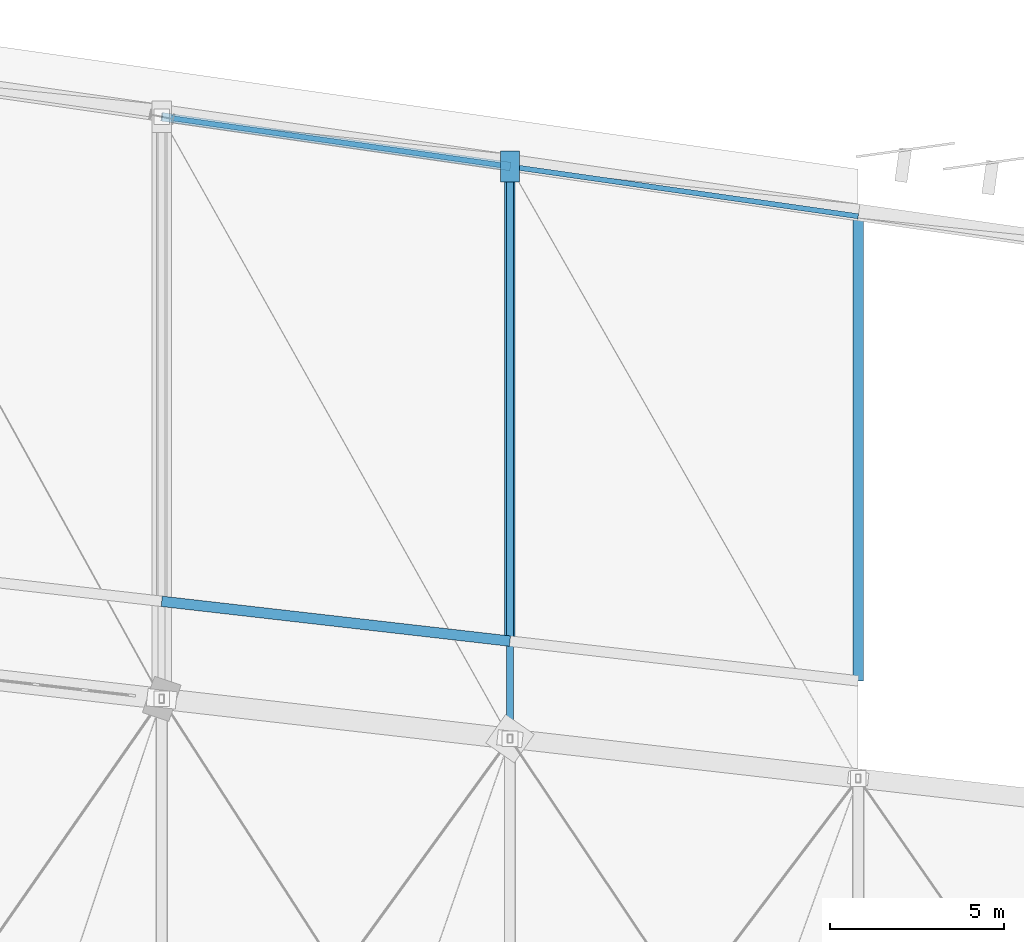
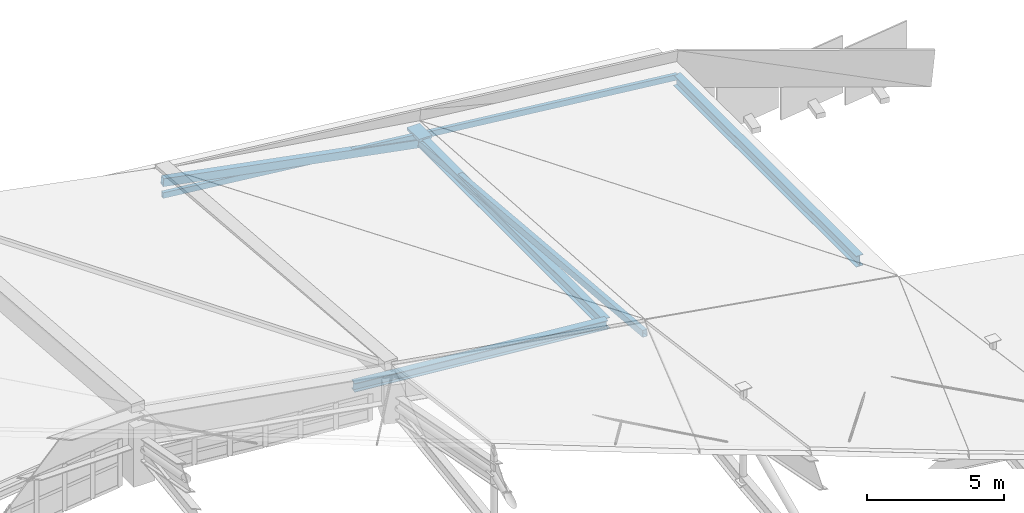
# One storey, part 38 of 68: 6 beams, 2 members.
"""IFC4 building model written with IfcOpenShell, lengths in metres."""

from ifc_helpers import new_model, si_unit, direction, frame, origin, origin_2d, place, context, subcontext, project, spatial, rectangle, hollow_rectangle, i_section, extrude, material, material_profile, profile_set, type_object, element, save


model = new_model("IFC4")

# Units and contexts
model_context = context("Model", 3, precision=1e-05, world=origin(), true_north=direction((0.0, 1.0)))
body_context = subcontext(model_context, "Body", "Model", "MODEL_VIEW")
ifc_project = project(units=[si_unit("LENGTHUNIT", "METRE"), si_unit("AREAUNIT", "SQUARE_METRE"), si_unit("VOLUMEUNIT", "CUBIC_METRE"), si_unit("PLANEANGLEUNIT", "RADIAN"), si_unit("MASSUNIT", "GRAM", prefix="KILO")], contexts=[model_context])

# Site, building, storey
site_placement = place(None, origin())
site = spatial("IfcSite", under=ifc_project, at=site_placement, CompositionType="ELEMENT")
building_placement = place(site_placement, origin())
building = spatial("IfcBuilding", under=site, at=building_placement, Name="Sohan Crest Arena", CompositionType="ELEMENT")
storey_placement = place(building_placement, frame((0.0, 0.0, 27.0)))
storey = spatial("IfcBuildingStorey", under=building, at=storey_placement, Name="RF", CompositionType="ELEMENT", Elevation=27.0)

# Beams
ifc_material_1 = material(Name="Steel S355", Category="steel")
ifc_material_profile_1 = material_profile(ifc_material_1, i_section(OverallWidth=0.300048828125, OverallDepth=0.389892578125, WebThickness=0.010986328125, FlangeThickness=0.01904296875, at=origin_2d()), Name="HEA 400")
ifc_profile_set_1 = profile_set([ifc_material_profile_1], Name="Steel S355")
beam_type_1 = type_object("IfcBeamType", Name="STR-BM-B09", PredefinedType="BEAM", material=ifc_profile_set_1)
beam_1_placement = place(storey_placement, frame((118.0, 109.513916015625, -0.4150390625), z_axis=(-0.99353032697, 0.113567114035, 0.0), x_axis=(-0.113567114035, -0.99353032697, 0.0)))
element("IfcBeam", 1, at=beam_1_placement, inside=storey, type_object=beam_type_1, Name="Structural beam RG-RF-1916", PredefinedType="BEAM", context=body_context, shape_type="SweptSolid", body=[
    extrude(i_section(OverallWidth=0.300048828125, OverallDepth=0.389892578125, WebThickness=0.010986328125, FlangeThickness=0.01904296875, at=origin_2d()), origin(), (0.0, 0.0, 1.0), 10.065185546875),
])
ifc_material_profile_2 = material_profile(ifc_material_1, i_section(OverallWidth=0.300048828125, OverallDepth=0.489990234375, WebThickness=0.011962890625, FlangeThickness=0.02294921875, at=origin_2d()), Name="HEA 500")
ifc_profile_set_2 = profile_set([ifc_material_profile_2], Name="Steel S355")
beam_type_2 = type_object("IfcBeamType", Name="STR-BM-B10", PredefinedType="BEAM", material=ifc_profile_set_2)
beam_2_placement = place(storey_placement, frame((128.0, 108.37109375, -0.465087890625), z_axis=(0.0, 1.0, 0.0), x_axis=(-1.0, 0.0, 0.0)))
element("IfcBeam", 2, at=beam_2_placement, inside=storey, type_object=beam_type_2, Name="Structural beam RG-RF-1911", PredefinedType="BEAM", context=body_context, shape_type="SweptSolid", body=[
    extrude(i_section(OverallWidth=0.300048828125, OverallDepth=0.489990234375, WebThickness=0.011962890625, FlangeThickness=0.02294921875, at=origin_2d()), origin(), (0.0, 0.0, 1.0), 13.343017578125),
])
beam_3_placement = place(storey_placement, frame((118.0, 109.513916015625, -0.465087890625), z_axis=(0.0, 1.0, 0.0), x_axis=(-1.0, 0.0, 0.0)))
element("IfcBeam", 3, at=beam_3_placement, inside=storey, type_object=beam_type_2, Name="Structural beam RG-RF-1914", PredefinedType="BEAM", context=body_context, shape_type="SweptSolid", body=[
    extrude(i_section(OverallWidth=0.300048828125, OverallDepth=0.489990234375, WebThickness=0.011962890625, FlangeThickness=0.02294921875, at=origin_2d()), origin(), (0.0, 0.0, 1.0), 13.629150390625),
])
ifc_material_2 = material(Name="Precast concrete C50/60", Category="concrete")
ifc_material_profile_3 = material_profile(ifc_material_2, rectangle(XDim=0.550048828125, YDim=0.89990234375, at=origin_2d()), Name="RAKER 550x900")
ifc_profile_set_3 = profile_set([ifc_material_profile_3], Name="Precast concrete C50/60")
beam_type_3 = type_object("IfcBeamType", Name="STR-BM-RK01", PredefinedType="USERDEFINED", material=ifc_profile_set_3)
beam_4_placement = place(storey_placement, frame((118.0, 123.14306640625, -0.282958984375), z_axis=(0.0, 0.0, 1.0), x_axis=(1.0, 0.0, 0.0)))
element("IfcBeam", 4, at=beam_4_placement, inside=storey, type_object=beam_type_3, Name="Perimeter cantilever nose bracket RKC-33", ObjectType="RAKER", PredefinedType="USERDEFINED", context=body_context, shape_type="SweptSolid", body=[
    extrude(rectangle(XDim=0.550048828125, YDim=0.89990234375, at=origin_2d()), origin(), (0.0, 0.0, 1.0), 0.123046875),
])
ifc_material_profile_4 = material_profile(ifc_material_1, hollow_rectangle(XDim=0.14990234375, YDim=0.25, WallThickness=0.010009765625, at=origin_2d()), Name="RHS 250x150x10")
ifc_profile_set_4 = profile_set([ifc_material_profile_4], Name="Steel S355")
beam_type_4 = type_object("IfcBeamType", Name="STR-BM-SP02", PredefinedType="SPANDREL", material=ifc_profile_set_4)
for number, where, z_axis, x_axis, name in (
    (5, (128.0, 121.714111328125, -0.344970703125), (-0.989944175879, 0.141458575718, 0.0), (-0.141458575718, -0.989944175879, 0.0), "Structural beam SP-RF-1912"),
    (6, (118.0, 123.14306640625, -0.344970703125), (-0.989957709412, 0.141363834042, 0.0), (-0.141363834042, -0.989957709412, 0.0), "Structural beam SP-RF-1915"),
):
    element("IfcBeam", number, at=place(storey_placement, frame(where, z_axis=z_axis, x_axis=x_axis)), inside=storey, type_object=beam_type_4, Name=name, PredefinedType="SPANDREL", context=body_context, shape_type="SweptSolid", body=[
        extrude(hollow_rectangle(XDim=0.14990234375, YDim=0.25, WallThickness=0.010009765625, at=origin_2d()), origin(), (0.0, 0.0, 1.0), 10.1015625),
    ])

# Members
ifc_material_profile_5 = material_profile(ifc_material_1, hollow_rectangle(XDim=0.199951171875, YDim=0.300048828125, WallThickness=0.010009765625, at=origin_2d()), Name="RHS 300x200x10")
ifc_profile_set_5 = profile_set([ifc_material_profile_5], Name="Steel S355")
member_type_1 = type_object("IfcMemberType", Name="STR-MEM-CH03", PredefinedType="CHORD", material=ifc_profile_set_5)
member_1_placement = place(storey_placement, frame((118.0, 106.714111328125, 0.81689453125), z_axis=(0.0, 0.996128058229, -0.087914114957), x_axis=(-1.0, 0.0, 0.0)))
element("IfcMember", 7, at=member_1_placement, inside=storey, type_object=member_type_1, Name="Outer roof-edge radial tie chord ORT-33", PredefinedType="CHORD", context=body_context, shape_type="SweptSolid", body=[
    extrude(hollow_rectangle(XDim=0.199951171875, YDim=0.300048828125, WallThickness=0.010009765625, at=origin_2d()), origin(), (0.0, 0.0, 1.0), 16.492919921875),
])
ifc_material_profile_6 = material_profile(ifc_material_1, hollow_rectangle(XDim=0.25, YDim=0.35009765625, WallThickness=0.012451171875, at=origin_2d()), Name="RHS 350x250x12.5")
ifc_profile_set_6 = profile_set([ifc_material_profile_6], Name="Steel S355")
member_type_2 = type_object("IfcMemberType", Name="STR-MEM-CH04", PredefinedType="CHORD", material=ifc_profile_set_6)
member_2_placement = place(storey_placement, frame((118.0, 123.14306640625, -0.633056640625), z_axis=(-0.986086214458, 0.14081099288, 0.088352939625), x_axis=(-0.141363834042, -0.989957709412, 0.0)))
element("IfcMember", 8, at=member_2_placement, inside=storey, type_object=member_type_2, Name="Outer roof-edge truss chord ORB-33", PredefinedType="CHORD", context=body_context, shape_type="SweptSolid", body=[
    extrude(hollow_rectangle(XDim=0.25, YDim=0.35009765625, WallThickness=0.012451171875, at=origin_2d()), origin(), (0.0, 0.0, 1.0), 10.14111328125),
])

save(model, "model.ifc")
